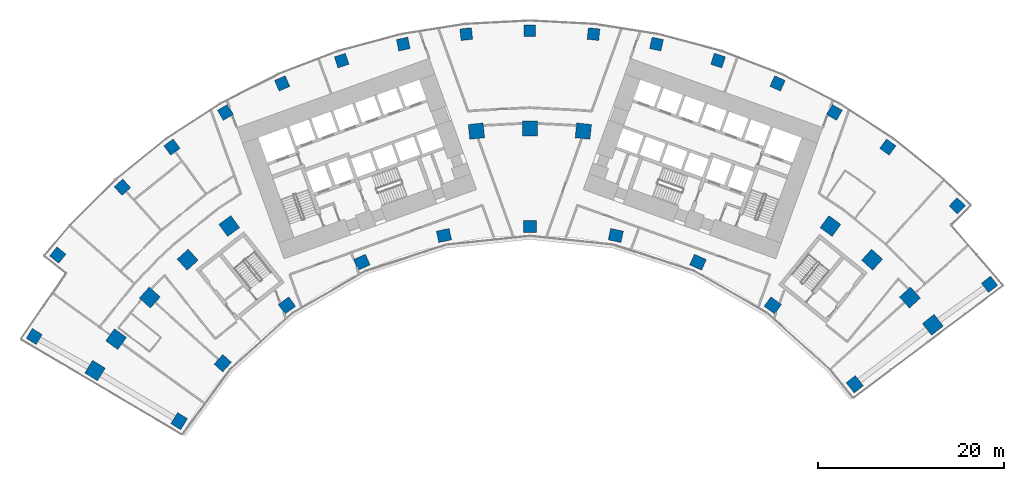
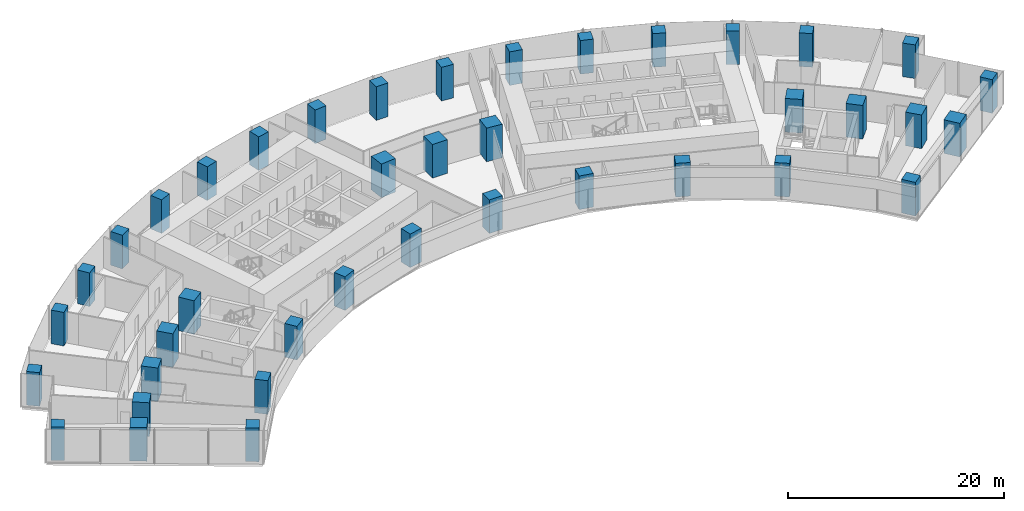
# One storey, part 1 of 21: 40 columns.
"""IFC4 building model written with IfcOpenShell, lengths in metres."""

from ifc_helpers import new_model, si_unit, direction, frame, origin, origin_2d, place, context, subcontext, project, spatial, rectangle, extrude, material, material_profile, profile_set, type_object, element, save


model = new_model("IFC4")

# Units and contexts
model_context = context("Model", 3, precision=1e-05, world=origin(), true_north=direction((0.0, 1.0)))
body_context = subcontext(model_context, "Body", "Model", "MODEL_VIEW")
ifc_project = project(units=[si_unit("LENGTHUNIT", "METRE"), si_unit("AREAUNIT", "SQUARE_METRE"), si_unit("VOLUMEUNIT", "CUBIC_METRE"), si_unit("PLANEANGLEUNIT", "RADIAN"), si_unit("MASSUNIT", "GRAM", prefix="KILO")], contexts=[model_context])

# Site, building, storey
site_placement = place(None, origin())
site = spatial("IfcSite", under=ifc_project, at=site_placement, CompositionType="ELEMENT")
building_placement = place(site_placement, origin())
building = spatial("IfcBuilding", under=site, at=building_placement, Name="Stone Belt Terrace Tower", CompositionType="ELEMENT")
storey_placement = place(building_placement, frame((0.0, 0.0, 71.800048828125)))
storey = spatial("IfcBuildingStorey", under=building, at=storey_placement, Name="L17", CompositionType="ELEMENT", Elevation=71.800048828125)

# Columns
ifc_material = material(Name="Concrete B80", Category="concrete")
ifc_material_profile_1 = material_profile(ifc_material, rectangle(XDim=1.25, YDim=1.25, at=origin_2d()), Name="RC 1250x1250")
ifc_profile_set_1 = profile_set([ifc_material_profile_1], Name="Concrete B80")
column_type_1 = type_object("IfcColumnType", Name="Column RC 1250x1250 B80", PredefinedType="COLUMN", material=ifc_profile_set_1)
for number, where, z_axis, x_axis, name in (
    (1, (-53.30078125, 32.6171875, 0.0), (0.0, 0.0, 1.0), (0.521967198123, 0.852965558556, 0.0), "Column L17 RA"),
    (2, (49.432861328125, 38.226318359375, 0.0), (0.0, 0.0, 1.0), (0.611730019057, -0.791066611472, 0.0), "Column L17 RB"),
    (3, (-50.7646484375, 41.373046875, 0.0), (0.0, 0.0, 1.0), (0.631758757508, 0.775165061333, 0.0), "Column L17 RNA"),
    (4, (-43.820556640625, 48.667724609375, 0.0), (0.0, 0.0, 1.0), (0.743144825477, 0.669130606359, 0.0), "Column L17 R15"),
    (5, (-38.493408203125, 52.981689453125, 0.0), (0.0, 0.0, 1.0), (0.809016994375, 0.587785252292, 0.0), "Column L17 R16"),
    (6, (-32.744384765625, 56.715087890625, 0.0), (0.0, 0.0, 1.0), (0.866025403784, 0.5, 0.0), "Column L17 R17"),
    (7, (-26.63671875, 59.8271484375, 0.0), (0.0, 0.0, 1.0), (0.913545457643, 0.406736643076, 0.0), "Column L17 R18"),
    (8, (-20.2373046875, 62.28369140625, 0.0), (0.0, 0.0, 1.0), (0.951056516295, 0.309016994375, 0.0), "Column L17 R19"),
    (9, (-13.615966796875, 64.057861328125, 0.0), (0.0, 0.0, 1.0), (0.978147600734, 0.207911690818, 0.0), "Column L17 R20"),
    (10, (-6.845458984375, 65.130126953125, 0.0), (0.0, 0.0, 1.0), (0.994521895368, 0.104528463268, 0.0), "Column L17 R21"),
    (11, (0.0, 65.489013671875, 0.0), (0.0, 0.0, 1.0), (1.0, 0.0, 0.0), "Column L17 R22"),
    (12, (6.845458984375, 65.130126953125, 0.0), (0.0, 0.0, 1.0), (0.994521895368, -0.104528463268, 0.0), "Column L17 R23"),
    (13, (13.615966796875, 64.057861328125, 0.0), (0.0, 0.0, 1.0), (0.978147600734, -0.207911690818, 0.0), "Column L17 R24"),
    (14, (20.2373046875, 62.28369140625, 0.0), (0.0, 0.0, 1.0), (0.951056516295, -0.309016994375, 0.0), "Column L17 R25"),
    (15, (26.63671875, 59.8271484375, 0.0), (0.0, 0.0, 1.0), (0.913545457643, -0.406736643076, 0.0), "Column L17 R26"),
    (16, (32.744384765625, 56.715087890625, 0.0), (0.0, 0.0, 1.0), (0.866025403784, -0.5, 0.0), "Column L17 R27"),
    (17, (38.493408203125, 52.981689453125, 0.0), (0.0, 0.0, 1.0), (0.809016994375, -0.587785252292, 0.0), "Column L17 R28"),
    (18, (45.95849609375, 46.654296875, 0.0), (0.0, 0.0, 1.0), (0.712398494182, -0.701775167334, 0.0), "Column L17 RNB"),
):
    element("IfcColumn", number, at=place(storey_placement, frame(where, z_axis=z_axis, x_axis=x_axis)), inside=storey, type_object=column_type_1, Name=name, PredefinedType="COLUMN", context=body_context, shape_type="SweptSolid", body=[
        extrude(rectangle(XDim=1.25, YDim=1.25, at=origin_2d()), origin(), (0.0, 0.0, 1.0), 3.800048828125),
    ])
ifc_material_profile_2 = material_profile(ifc_material, rectangle(XDim=1.39990234375, YDim=1.25, at=origin_2d()), Name="RC 1400x1250")
ifc_profile_set_2 = profile_set([ifc_material_profile_2], Name="Concrete B80")
column_type_2 = type_object("IfcColumnType", Name="Column RC 1400x1250 B80", PredefinedType="COLUMN", material=ifc_profile_set_2)
for number, where, z_axis, x_axis, name in (
    (19, (-37.718017578125, 23.510009765625, 0.0), (0.0, 0.0, 1.0), (0.528967211548, 0.84864226215, 0.0), "Column L17 PA"),
    (20, (-33.029052734375, 29.739501953125, 0.0), (0.0, 0.0, 1.0), (0.669130606359, 0.743144825477, 0.0), "Column L17 P14"),
    (21, (-26.1240234375, 35.956787109375, 0.0), (0.0, 0.0, 1.0), (0.809016994375, 0.587785252292, 0.0), "Column L17 P16"),
    (22, (-18.077392578125, 40.6025390625, 0.0), (0.0, 0.0, 1.0), (0.913545457643, 0.406736643076, 0.0), "Column L17 P18"),
    (23, (-9.240478515625, 43.473876953125, 0.0), (0.0, 0.0, 1.0), (0.978147600734, 0.207911690818, 0.0), "Column L17 P20"),
    (24, (0.0, 44.445068359375, 0.0), (0.0, 0.0, 1.0), (1.0, 0.0, 0.0), "Column L17 P22"),
    (25, (9.240478515625, 43.473876953125, 0.0), (0.0, 0.0, 1.0), (0.978147600734, -0.207911690818, 0.0), "Column L17 P24"),
    (26, (18.077392578125, 40.6025390625, 0.0), (0.0, 0.0, 1.0), (0.913545457643, -0.406736643076, 0.0), "Column L17 P26"),
    (27, (26.1240234375, 35.956787109375, 0.0), (0.0, 0.0, 1.0), (0.809016994375, -0.587785252292, 0.0), "Column L17 P28"),
    (28, (34.93408203125, 27.476806640625, 0.0), (0.0, 0.0, 1.0), (0.618217727677, -0.786006896399, 0.0), "Column L17 PB"),
):
    element("IfcColumn", number, at=place(storey_placement, frame(where, z_axis=z_axis, x_axis=x_axis)), inside=storey, type_object=column_type_2, Name=name, PredefinedType="COLUMN", context=body_context, shape_type="SweptSolid", body=[
        extrude(rectangle(XDim=1.39990234375, YDim=1.25, at=origin_2d()), origin(), (0.0, 0.0, 1.0), 3.800048828125),
    ])
ifc_material_profile_3 = material_profile(ifc_material, rectangle(XDim=1.60009765625, YDim=1.60009765625, at=origin_2d()), Name="RC 1600x1600")
ifc_profile_set_3 = profile_set([ifc_material_profile_3], Name="Concrete B80")
column_type_3 = type_object("IfcColumnType", Name="Column RC 1600x1600 B80", PredefinedType="COLUMN", material=ifc_profile_set_3)
for number, where, z_axis, x_axis, name in (
    (29, (-46.763671875, 28.951171875, 0.0), (0.0, 0.0, 1.0), (0.526383105721, 0.850247508677, 0.0), "Column L17 QA"),
    (30, (-44.495849609375, 32.328125, 0.0), (0.0, 0.0, 1.0), (0.587785252292, 0.809016994375, 0.0), "Column L17 Q13"),
    (31, (-40.873046875, 36.80224609375, 0.0), (0.0, 0.0, 1.0), (0.669130606359, 0.743144825477, 0.0), "Column L17 Q14"),
    (32, (-36.80224609375, 40.873046875, 0.0), (0.0, 0.0, 1.0), (0.743144825477, 0.669130606359, 0.0), "Column L17 Q15"),
    (33, (-32.328125, 44.495849609375, 0.0), (0.0, 0.0, 1.0), (0.809016994375, 0.587785252292, 0.0), "Column L17 Q16"),
    (34, (-5.7490234375, 54.69873046875, 0.0), (0.0, 0.0, 1.0), (0.994521895368, 0.104528463268, 0.0), "Column L17 Q21"),
    (35, (0.0, 55.0, 0.0), (0.0, 0.0, 1.0), (1.0, 0.0, 0.0), "Column L17 Q22"),
    (36, (5.7490234375, 54.69873046875, 0.0), (0.0, 0.0, 1.0), (0.994521895368, -0.104528463268, 0.0), "Column L17 Q23"),
    (37, (32.328125, 44.495849609375, 0.0), (0.0, 0.0, 1.0), (0.809016994375, -0.587785252292, 0.0), "Column L17 Q28"),
    (38, (36.80224609375, 40.873046875, 0.0), (0.0, 0.0, 1.0), (0.743144825477, -0.669130606359, 0.0), "Column L17 Q29"),
    (39, (40.873046875, 36.80224609375, 0.0), (0.0, 0.0, 1.0), (0.669130606359, -0.743144825477, 0.0), "Column L17 Q30"),
    (40, (43.33349609375, 33.870361328125, 0.0), (0.0, 0.0, 1.0), (0.615825127294, -0.787882867306, 0.0), "Column L17 QB"),
):
    element("IfcColumn", number, at=place(storey_placement, frame(where, z_axis=z_axis, x_axis=x_axis)), inside=storey, type_object=column_type_3, Name=name, PredefinedType="COLUMN", context=body_context, shape_type="SweptSolid", body=[
        extrude(rectangle(XDim=1.60009765625, YDim=1.60009765625, at=origin_2d()), origin(), (0.0, 0.0, 1.0), 3.800048828125),
    ])

save(model, "model.ifc")
